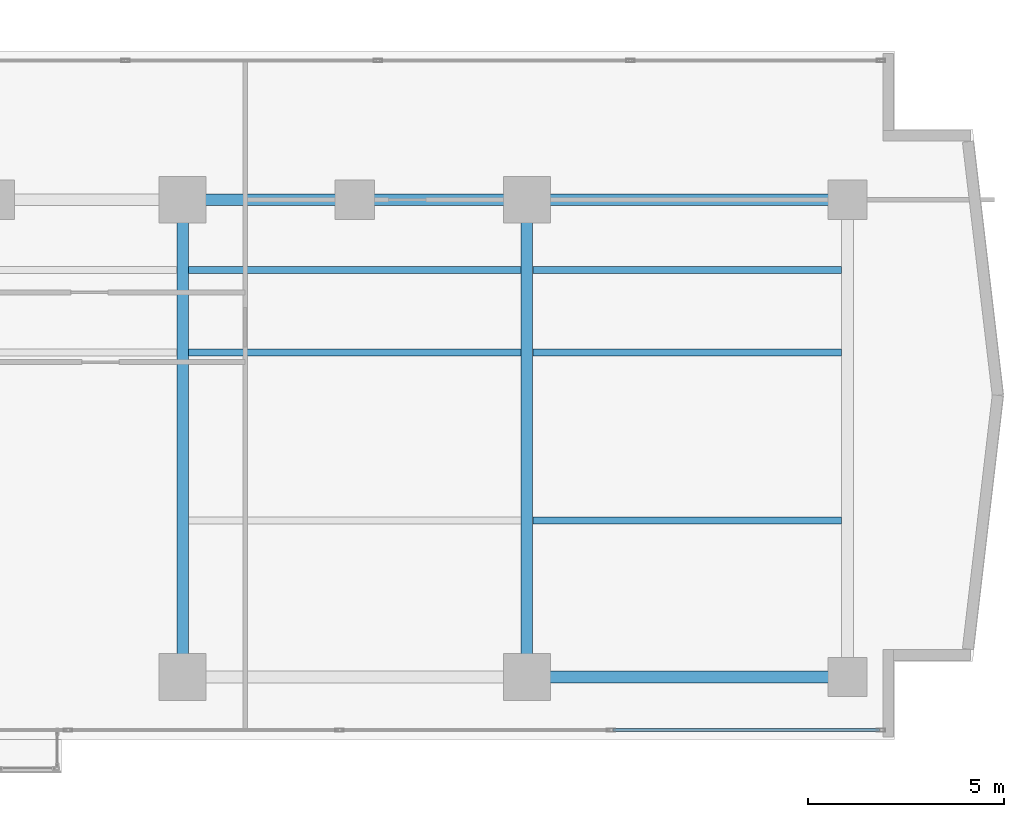
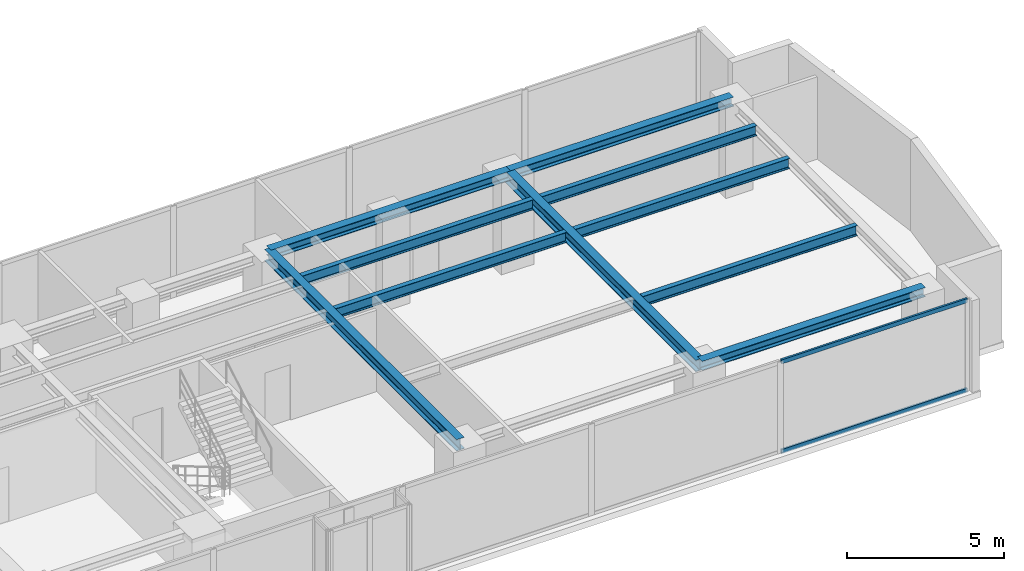
# One storey, part 11 of 24: 10 beams, 2 members, 1 element without a shape of its own.
"""IFC4 building model written with IfcOpenShell, lengths in metres."""

import ifcopenshell
import ifcopenshell.guid

model = None  # the IFC model being written
_history = None  # IfcOwnerHistory: only IFC2X3 demands one
_inside = {}  # id of a spatial element -> (the spatial element, [elements in it])
_under = {}  # id of a project, library or spatial element -> (it, [spatial elements below it])
_declared = {}  # id of a project -> (the project, [libraries it declares])
_typed = {}  # id of a type object -> (the type object, [elements of that type])
_made_of = {}  # id of a material, layer set ... -> (it, [elements and type objects made of it])


def new_model(schema):
    """Start an empty IFC model of exactly this schema.

    Asked for "IFC4X3", IfcOpenShell would pick the latest addendum, in which some entities
    have other attributes; the version numbers below select the first issue.
    IFC2X3 requires an IfcOwnerHistory on every rooted entity: one is made here for all.
    """
    global model, _history
    if schema == "IFC4X3":
        model = ifcopenshell.file(schema_version=(4, 3, 0, 0))
    else:
        model = ifcopenshell.file(schema=schema)
    _inside.clear()
    _under.clear()
    _declared.clear()
    _typed.clear()
    _made_of.clear()
    _history = None
    if model.schema == "IFC2X3":
        org = make("IfcOrganization", Name="unknown")
        user = make(
            "IfcPersonAndOrganization",
            ThePerson=make("IfcPerson", FamilyName="unknown"),
            TheOrganization=org,
        )
        app = make(
            "IfcApplication",
            ApplicationDeveloper=org,
            Version="unknown",
            ApplicationFullName="unknown",
            ApplicationIdentifier="unknown",
        )
        _history = make(
            "IfcOwnerHistory",
            OwningUser=user,
            OwningApplication=app,
            ChangeAction="ADDED",
            CreationDate=0,
        )
    return model


def make(cls, **values):
    """One entity of the class cls with the attributes given. An attribute that is None is left unset."""
    return model.create_entity(
        cls, **{name: value for name, value in values.items() if value is not None}
    )


def rooted(cls, **values):
    """An entity with a GlobalId (a new one), such as an element, a storey or a relation."""
    return make(cls, GlobalId=ifcopenshell.guid.new(), OwnerHistory=_history, **values)


def si_unit(unit_type, name, prefix=None):
    """IfcSIUnit, for example si_unit("LENGTHUNIT", "METRE", prefix="MILLI")."""
    return make("IfcSIUnit", UnitType=unit_type, Prefix=prefix, Name=name)


def assignment(units):
    """IfcUnitAssignment: the units of a project."""
    return None if units is None else make("IfcUnitAssignment", Units=units)


def point(xyz):
    """IfcCartesianPoint."""
    return None if xyz is None else make("IfcCartesianPoint", Coordinates=xyz)


def direction(xyz):
    """IfcDirection."""
    return None if xyz is None else make("IfcDirection", DirectionRatios=xyz)


def frame(location, z_axis=None, x_axis=None):
    """IfcAxis2Placement3D, a coordinate frame: its origin and axes. An axis left out is left unset."""
    return make(
        "IfcAxis2Placement3D",
        Location=point(location),
        Axis=direction(z_axis),
        RefDirection=direction(x_axis),
    )


def frame_2d(location, x_axis=None):
    """IfcAxis2Placement2D, a coordinate frame in the plane: its origin and x axis."""
    return make(
        "IfcAxis2Placement2D", Location=point(location), RefDirection=direction(x_axis)
    )


def origin():
    """The frame at (0, 0, 0) with its axes left unset."""
    return frame((0.0, 0.0, 0.0))


def origin_with_axes():
    """The frame at (0, 0, 0) with the z axis (0, 0, 1) and the x axis (1, 0, 0) written out."""
    return frame((0.0, 0.0, 0.0), z_axis=(0.0, 0.0, 1.0), x_axis=(1.0, 0.0, 0.0))


def origin_2d():
    """The frame at (0, 0) in the plane with its x axis left unset."""
    return frame_2d((0.0, 0.0))


def place(relative_to, where):
    """IfcLocalPlacement: puts the frame where relative to a parent placement (None: the world)."""
    return make(
        "IfcLocalPlacement", PlacementRelTo=relative_to, RelativePlacement=where
    )


def context(
    kind, dimensions, precision=None, world=None, true_north=None, identifier=None
):
    """IfcGeometricRepresentationContext, for example the 3D "Model" context."""
    return make(
        "IfcGeometricRepresentationContext",
        ContextIdentifier=identifier,
        ContextType=kind,
        CoordinateSpaceDimension=dimensions,
        Precision=precision,
        WorldCoordinateSystem=world,
        TrueNorth=true_north,
    )


def subcontext(parent, identifier, kind, view, scale=None):
    """IfcGeometricRepresentationSubContext, for example "Body" below "Model"."""
    return make(
        "IfcGeometricRepresentationSubContext",
        ContextIdentifier=identifier,
        ContextType=kind,
        ParentContext=parent,
        TargetScale=scale,
        TargetView=view,
    )


def project(units=None, contexts=None):
    """IfcProject with its units and contexts."""
    return rooted(
        "IfcProject",
        Name="project",
        RepresentationContexts=contexts,
        UnitsInContext=assignment(units),
    )


def spatial(cls, under=None, at=None, **own):
    """A site, building, storey or space (cls), placed at a placement, below another one or the project."""
    s = rooted(cls, ObjectPlacement=at, **own)
    if under is not None:
        _under.setdefault(under.id(), (under, []))[1].append(s)
    return s


def profile(cls, at=None, kind="AREA", **sizes):
    """A parametric profile (cls). Its sizes go by their IFC names, for example OverallWidth=200.0."""
    return make(cls, ProfileType=kind, Position=at, **sizes)


def hollow_rectangle(**sizes):
    """IfcRectangleHollowProfileDef."""
    return profile("IfcRectangleHollowProfileDef", **sizes)


def i_section(**sizes):
    """IfcIShapeProfileDef."""
    return profile("IfcIShapeProfileDef", **sizes)


def extrude(swept, where, along, depth):
    """IfcExtrudedAreaSolid: the profile swept, set in the frame where, extruded along a direction by depth."""
    return make(
        "IfcExtrudedAreaSolid",
        SweptArea=swept,
        Position=where,
        ExtrudedDirection=direction(along),
        Depth=depth,
    )


def shape(context_of_items, identifier, shape_type, items):
    """IfcShapeRepresentation: the items that make up one representation, for example the "Body"."""
    return make(
        "IfcShapeRepresentation",
        ContextOfItems=context_of_items,
        RepresentationIdentifier=identifier,
        RepresentationType=shape_type,
        Items=items,
    )


def source(mapping_origin, context_of_items, identifier, shape_type, items):
    """IfcRepresentationMap: a shape defined once, which mapped items show again and again."""
    return make(
        "IfcRepresentationMap",
        MappingOrigin=mapping_origin,
        MappedRepresentation=shape(context_of_items, identifier, shape_type, items),
    )


def transform(
    local_origin,
    x_axis=None,
    y_axis=None,
    z_axis=None,
    scale=None,
    scale2=None,
    scale3=None,
    uniform=True,
):
    """IfcCartesianTransformationOperator3D, or its non-uniform kind. x_axis, y_axis, z_axis: its Axis1, 2, 3."""
    if uniform:
        return make(
            "IfcCartesianTransformationOperator3D",
            Axis1=direction(x_axis),
            Axis2=direction(y_axis),
            LocalOrigin=point(local_origin),
            Scale=scale,
            Axis3=direction(z_axis),
        )
    return make(
        "IfcCartesianTransformationOperator3DnonUniform",
        Axis1=direction(x_axis),
        Axis2=direction(y_axis),
        LocalOrigin=point(local_origin),
        Scale=scale,
        Axis3=direction(z_axis),
        Scale2=scale2,
        Scale3=scale3,
    )


def mapped(mapping_source, mapping_target):
    """IfcMappedItem: shows the shape of a source again, moved by a transform."""
    return make(
        "IfcMappedItem", MappingSource=mapping_source, MappingTarget=mapping_target
    )


def material(Name=None, Category=None):
    """IfcMaterial."""
    return make("IfcMaterial", Name=Name, Category=Category)


def layer(
    of_material, thickness, ventilated=None, Name=None, Category=None, Priority=None
):
    """IfcMaterialLayer: one layer of a wall or slab, of a material (None: an air gap)."""
    return make(
        "IfcMaterialLayer",
        Material=of_material,
        LayerThickness=thickness,
        IsVentilated=ventilated,
        Name=Name,
        Category=Category,
        Priority=Priority,
    )


def layer_set(layers, Name=None):
    """IfcMaterialLayerSet."""
    return make("IfcMaterialLayerSet", MaterialLayers=layers, LayerSetName=Name)


def material_profile(
    of_material, cross_section, Name=None, Category=None, Priority=None
):
    """IfcMaterialProfile: a cross section and its material."""
    return make(
        "IfcMaterialProfile",
        Name=Name,
        Material=of_material,
        Profile=cross_section,
        Priority=Priority,
        Category=Category,
    )


def profile_set(profiles, Name=None, composite=None):
    """IfcMaterialProfileSet."""
    return make(
        "IfcMaterialProfileSet",
        Name=Name,
        MaterialProfiles=profiles,
        CompositeProfile=composite,
    )


def made_of(thing, what):
    """Note that an element or type object is made of a material, layer set ...; save() writes the relation."""
    if what is not None:
        _made_of.setdefault(what.id(), (what, []))[1].append(thing)
    return thing


def type_object(cls, material=None, **own):
    """A type object (cls), such as IfcWallType, which elements share."""
    return made_of(rooted(cls, **own), material)


def element(
    cls,
    number,
    at=None,
    inside=None,
    cuts=None,
    type_object=None,
    material=None,
    context=None,
    identifier="Body",
    shape_type=None,
    held_by="IfcProductDefinitionShape",
    body=None,
    shapes=None,
    **own,
):
    """One element of the class cls, such as IfcWall. Its Tag is "e" and its number.

    at: its placement. inside: the storey or other place that contains it. cuts: it is an
    opening in that element (IfcRelVoidsElement). A single representation is given by context,
    identifier, shape_type and body (its items); several are given by shapes. held_by: the class
    of the entity that holds the representations. save() writes the other relations.
    """
    e = rooted(cls, Tag="e%d" % number, ObjectPlacement=at, **own)
    if body is not None:
        shapes = [shape(context, identifier, shape_type, body)]
    if shapes is not None:
        e.Representation = make(held_by, Representations=shapes)
    if inside is not None:
        _inside.setdefault(inside.id(), (inside, []))[1].append(e)
    if cuts is not None:
        rooted(
            "IfcRelVoidsElement", RelatingBuildingElement=cuts, RelatedOpeningElement=e
        )
    if type_object is not None:
        _typed.setdefault(type_object.id(), (type_object, []))[1].append(e)
    return made_of(e, material)


def aggregate(whole, parts):
    """IfcRelAggregates: a whole, such as a stair, and the parts it consists of."""
    return rooted("IfcRelAggregates", RelatingObject=whole, RelatedObjects=parts)


def save(model, path):
    """Write the relations noted so far, then the file.

    IfcRelAggregates (storeys below a building ...), IfcRelContainedInSpatialStructure (elements
    in a storey), IfcRelDefinesByType, IfcRelAssociatesMaterial and IfcRelDeclares: one each for
    every whole, place, type object, material and project.
    """
    for whole, parts in _under.values():
        aggregate(whole, parts)
    for where, things in _inside.values():
        rooted(
            "IfcRelContainedInSpatialStructure",
            RelatedElements=things,
            RelatingStructure=where,
        )
    for kind, things in _typed.values():
        rooted("IfcRelDefinesByType", RelatedObjects=things, RelatingType=kind)
    for what, things in _made_of.values():
        rooted("IfcRelAssociatesMaterial", RelatedObjects=things, RelatingMaterial=what)
    for by, libraries in _declared.values():
        rooted("IfcRelDeclares", RelatingContext=by, RelatedDefinitions=libraries)
    model.write(path)


model = new_model("IFC4")

# Units and contexts
model_context = context("Model", 3, precision=1e-05, world=origin(), true_north=direction((0.0, 1.0)))
body_context = subcontext(model_context, "Body", "Model", "MODEL_VIEW")
ifc_project = project(units=[si_unit("LENGTHUNIT", "METRE"), si_unit("AREAUNIT", "SQUARE_METRE"), si_unit("VOLUMEUNIT", "CUBIC_METRE"), si_unit("PLANEANGLEUNIT", "RADIAN"), si_unit("MASSUNIT", "GRAM", prefix="KILO")], contexts=[model_context])

# Site, building, storey
site_placement = place(None, origin())
site = spatial("IfcSite", under=ifc_project, at=site_placement, CompositionType="ELEMENT")
building_placement = place(site_placement, origin())
building = spatial("IfcBuilding", under=site, at=building_placement, Name="Kolvaren Waterfront Exchange", CompositionType="ELEMENT")
storey_placement = place(building_placement, frame((0.0, 0.0, 172.800048828125)))
storey = spatial("IfcBuildingStorey", under=building, at=storey_placement, Name="L44", CompositionType="ELEMENT", Elevation=172.800048828125)

# Beams
ifc_material_1 = material(Name="Steel S355", Category="steel")
ifc_material_profile_1 = material_profile(ifc_material_1, i_section(OverallWidth=0.300048828125, OverallDepth=0.360107421875, WebThickness=0.012451171875, FlangeThickness=0.0224609375, FilletRadius=0.027099609375, at=origin_2d()), Name="HEB360")
ifc_profile_set_1 = profile_set([ifc_material_profile_1], Name="Steel S355")
beam_type_1 = type_object("IfcBeamType", Name="STR-BM-HEB360", PredefinedType="SPANDREL", material=ifc_profile_set_1)
beam_1_placement = place(storey_placement, frame((45.60009765625, 5.199951171875, 3.3798828125), z_axis=(1.0, 0.0, 0.0), x_axis=(0.0, 1.0, 0.0)))
element("IfcBeam", 1, at=beam_1_placement, inside=storey, type_object=beam_type_1, Name="L44 east-arm spandrel S4", PredefinedType="SPANDREL", context=body_context, shape_type="SweptSolid", body=[
    extrude(i_section(OverallWidth=0.300048828125, OverallDepth=0.360107421875, WebThickness=0.012451171875, FlangeThickness=0.0224609375, FilletRadius=0.027099609375, at=origin_2d()), origin(), (0.0, 0.0, 1.0), 8.199951171875),
])
beam_2_placement = place(storey_placement, frame((36.800048828125, 17.39990234375, 3.3798828125), z_axis=(1.0, 0.0, 0.0), x_axis=(0.0, 1.0, 0.0)))
element("IfcBeam", 2, at=beam_2_placement, inside=storey, type_object=beam_type_1, Name="L44 east-arm spandrel N3", PredefinedType="SPANDREL", context=body_context, shape_type="SweptSolid", body=[
    extrude(i_section(OverallWidth=0.300048828125, OverallDepth=0.360107421875, WebThickness=0.012451171875, FlangeThickness=0.0224609375, FilletRadius=0.027099609375, at=origin_2d()), origin(), (0.0, 0.0, 1.0), 8.800048828125),
])
beam_3_placement = place(storey_placement, frame((45.60009765625, 17.39990234375, 3.3798828125), z_axis=(1.0, 0.0, 0.0), x_axis=(0.0, 1.0, 0.0)))
element("IfcBeam", 3, at=beam_3_placement, inside=storey, type_object=beam_type_1, Name="L44 east-arm spandrel N4", PredefinedType="SPANDREL", context=body_context, shape_type="SweptSolid", body=[
    extrude(i_section(OverallWidth=0.300048828125, OverallDepth=0.360107421875, WebThickness=0.012451171875, FlangeThickness=0.0224609375, FilletRadius=0.027099609375, at=origin_2d()), origin(), (0.0, 0.0, 1.0), 8.199951171875),
])
ifc_material_profile_2 = material_profile(ifc_material_1, i_section(OverallWidth=0.300048828125, OverallDepth=0.449951171875, WebThickness=0.013916015625, FlangeThickness=0.02587890625, FilletRadius=0.027099609375, at=origin_2d()), Name="HEB450")
ifc_profile_set_2 = profile_set([ifc_material_profile_2], Name="Steel S355")
beam_type_2 = type_object("IfcBeamType", Name="STR-BM-HEB450", PredefinedType="BEAM", material=ifc_profile_set_2)
for number, where, z_axis, x_axis, name in (
    (4, (36.800048828125, 5.199951171875, 3.3349609375), (0.0, 1.0, 0.0), (-1.0, 0.0, 0.0), "L44 east-arm transverse girder X36"),
    (5, (45.60009765625, 5.199951171875, 3.3349609375), (0.0, 1.0, 0.0), (-1.0, 0.0, 0.0), "L44 east-arm transverse girder X45"),
):
    element("IfcBeam", number, at=place(storey_placement, frame(where, z_axis=z_axis, x_axis=x_axis)), inside=storey, type_object=beam_type_2, Name=name, PredefinedType="BEAM", context=body_context, shape_type="SweptSolid", body=[
        extrude(i_section(OverallWidth=0.300048828125, OverallDepth=0.449951171875, WebThickness=0.013916015625, FlangeThickness=0.02587890625, FilletRadius=0.027099609375, at=origin_2d()), origin(), (0.0, 0.0, 1.0), 12.199951171875),
    ])
ifc_material_profile_3 = material_profile(ifc_material_1, i_section(OverallWidth=0.179931640625, OverallDepth=0.39990234375, WebThickness=0.008544921875, FlangeThickness=0.013427734375, FilletRadius=0.02099609375, at=origin_2d()), Name="IPE400")
ifc_profile_set_3 = profile_set([ifc_material_profile_3], Name="Steel S355")
beam_type_3 = type_object("IfcBeamType", Name="STR-BM-IPE400", PredefinedType="JOIST", material=ifc_profile_set_3)
for number, where, z_axis, x_axis, name in (
    (6, (36.951904296875, 13.5, 3.35986328125), (1.0, 0.0, 0.0), (0.0, 1.0, 0.0), "L44 east-arm composite joist 3A"),
    (7, (36.951904296875, 15.60009765625, 3.35986328125), (1.0, 0.0, 0.0), (0.0, 1.0, 0.0), "L44 east-arm composite joist 3C"),
):
    element("IfcBeam", number, at=place(storey_placement, frame(where, z_axis=z_axis, x_axis=x_axis)), inside=storey, type_object=beam_type_3, Name=name, PredefinedType="JOIST", context=body_context, shape_type="SweptSolid", body=[
        extrude(i_section(OverallWidth=0.179931640625, OverallDepth=0.39990234375, WebThickness=0.008544921875, FlangeThickness=0.013427734375, FilletRadius=0.02099609375, at=origin_2d()), origin(), (0.0, 0.0, 1.0), 8.49609375),
    ])
for number, where, z_axis, x_axis, name in (
    (8, (45.751953125, 13.5, 3.35986328125), (1.0, 0.0, 0.0), (0.0, 1.0, 0.0), "L44 east-arm composite joist 4A"),
    (9, (45.751953125, 15.60009765625, 3.35986328125), (1.0, 0.0, 0.0), (0.0, 1.0, 0.0), "L44 east-arm composite joist 4C"),
    (10, (45.751953125, 9.199951171875, 3.35986328125), (1.0, 0.0, 0.0), (0.0, 1.0, 0.0), "L44 east-arm composite joist 4B"),
):
    element("IfcBeam", number, at=place(storey_placement, frame(where, z_axis=z_axis, x_axis=x_axis)), inside=storey, type_object=beam_type_3, Name=name, PredefinedType="JOIST", context=body_context, shape_type="SweptSolid", body=[
        extrude(i_section(OverallWidth=0.179931640625, OverallDepth=0.39990234375, WebThickness=0.008544921875, FlangeThickness=0.013427734375, FilletRadius=0.02099609375, at=origin_2d()), origin(), (0.0, 0.0, 1.0), 7.89599609375),
    ])

# Curtain wall, members
ifc_material_2 = material(Name="Anodised bronze aluminium 6063-T6", Category="aluminium")
ifc_layer = layer(ifc_material_2, 0.219970703125, Name="Anodised bronze aluminium 6063-T6")
ifc_layer_set = layer_set([ifc_layer], Name="Anodised bronze aluminium 6063-T6")
curtain_wall_type = type_object("IfcCurtainWallType", Name="ARC-CW-SYS1", PredefinedType="USERDEFINED", material=ifc_layer_set)
curtain_wall_placement = place(storey_placement, origin())
curtain_wall = element("IfcCurtainWall", 11, at=curtain_wall_placement, inside=storey, type_object=curtain_wall_type, Name="L44 stick curtain wall CW1 (CW-L44-S)", ObjectType="STICK CURTAIN WALL", PredefinedType="USERDEFINED")
ifc_material_3 = material(Name="Anodised aluminium 6063-T6", Category="aluminium")
ifc_material_profile_4 = material_profile(ifc_material_3, hollow_rectangle(XDim=0.074951171875, YDim=0.159912109375, WallThickness=0.00439453125, at=origin_2d()), Name="ALU-TRN-160x75x4.5")
ifc_profile_set_4 = profile_set([ifc_material_profile_4], Name="Anodised aluminium 6063-T6")
member_type = type_object("IfcMemberType", Name="ARC-CWT-160", PredefinedType="USERDEFINED", material=ifc_profile_set_4)
shared_shape = source(origin_with_axes(), body_context, "Body", "SweptSolid", [
    extrude(hollow_rectangle(XDim=0.074951171875, YDim=0.159912109375, WallThickness=0.00439453125, at=origin_2d()), origin(), (0.0, 0.0, 1.0), 6.822998046875),
])
member_1_placement = place(storey_placement, frame((47.797119140625, 3.840087890625, 0.037353515625), z_axis=(1.0, 0.0, 0.0), x_axis=(0.0, 1.0, 0.0)))
member_1 = element("IfcMember", 12, at=member_1_placement, type_object=member_type, Name="CW1 transom 7.1", ObjectType="TRANSOM", PredefinedType="USERDEFINED", context=body_context, shape_type="MappedRepresentation", body=[
    mapped(shared_shape, transform((0.0, 0.0, 0.0), x_axis=(1.0, 0.0, 0.0), y_axis=(0.0, 1.0, 0.0), z_axis=(0.0, 0.0, 1.0), scale=1.0)),
])
member_2_placement = place(storey_placement, frame((47.797119140625, 3.840087890625, 3.5224609375), z_axis=(1.0, 0.0, 0.0), x_axis=(0.0, 1.0, 0.0)))
member_2 = element("IfcMember", 13, at=member_2_placement, type_object=member_type, Name="CW1 transom 7.2", ObjectType="TRANSOM", PredefinedType="USERDEFINED", context=body_context, shape_type="MappedRepresentation", body=[
    mapped(shared_shape, transform((0.0, 0.0, 0.0), x_axis=(1.0, 0.0, 0.0), y_axis=(0.0, 1.0, 0.0), z_axis=(0.0, 0.0, 1.0), scale=1.0)),
])
aggregate(curtain_wall, [member_1, member_2])

save(model, "model.ifc")
